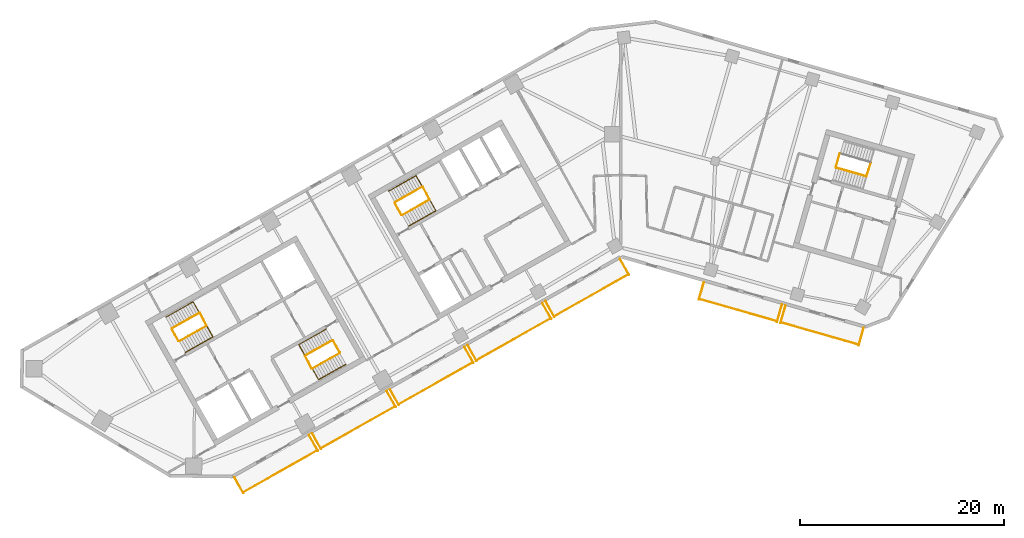
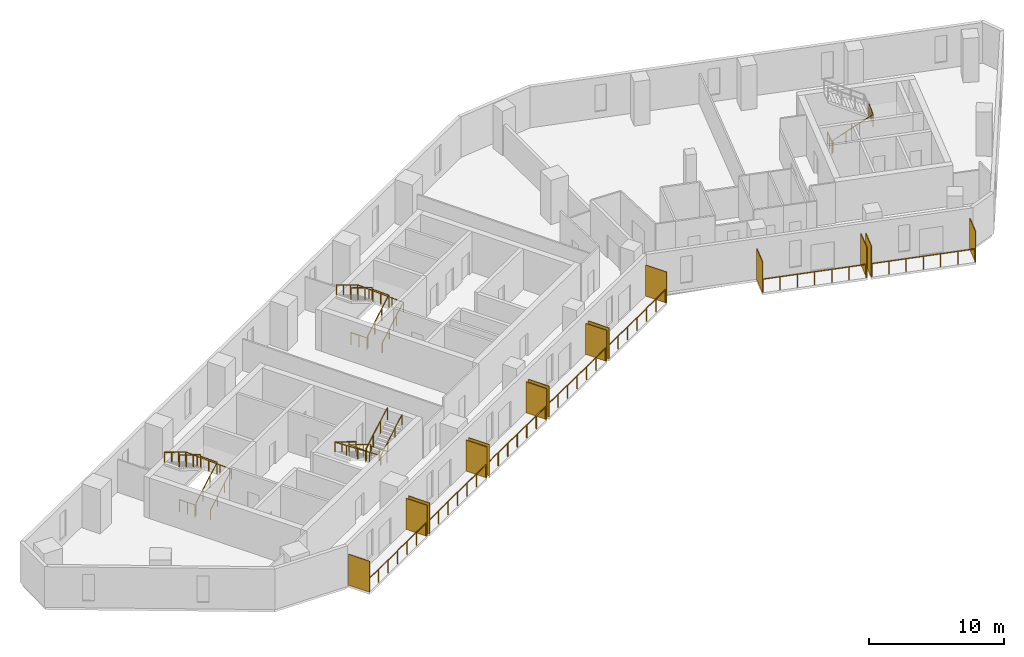
# One storey, part 8 of 9: 21 railings, 14 shading devices.
"""IFC4 building model written with IfcOpenShell, lengths in metres."""

from ifc_helpers import new_model, si_unit, direction, frame, origin, origin_2d, place, context, subcontext, project, spatial, rectangle, circle, extrude, material, layer, layer_set, type_object, element, save


model = new_model("IFC4")

# Units and contexts
model_context = context("Model", 3, precision=1e-05, world=origin(), true_north=direction((0.0, 1.0)))
body_context = subcontext(model_context, "Body", "Model", "MODEL_VIEW")
ifc_project = project(units=[si_unit("LENGTHUNIT", "METRE"), si_unit("AREAUNIT", "SQUARE_METRE"), si_unit("VOLUMEUNIT", "CUBIC_METRE"), si_unit("PLANEANGLEUNIT", "RADIAN"), si_unit("MASSUNIT", "GRAM", prefix="KILO")], contexts=[model_context])

# Site, building, storey
site_placement = place(None, origin())
site = spatial("IfcSite", under=ifc_project, at=site_placement, CompositionType="ELEMENT")
building_placement = place(site_placement, origin())
building = spatial("IfcBuilding", under=site, at=building_placement, Name="Binnacle Exchange Tower", CompositionType="ELEMENT")
storey_placement = place(building_placement, frame((0.0, 0.0, 158.89990234375)))
storey = spatial("IfcBuildingStorey", under=building, at=storey_placement, Name="L33", CompositionType="ELEMENT", Elevation=158.89990234375)

# Railings
ifc_material_1 = material(Name="Bronze anodised aluminium frame", Category="aluminium")
railing_type_1 = type_object("IfcRailingType", Name="GUARD 1200", PredefinedType="GUARDRAIL", material=ifc_material_1)
railing_1_placement = place(storey_placement, frame((-36.994140625, 24.921142578125, 0.0)))
element("IfcRailing", 1, at=railing_1_placement, inside=storey, type_object=railing_type_1, Name="Balcony guard G01-B00 L33", PredefinedType="GUARDRAIL", context=body_context, shape_type="SweptSolid", body=[
    extrude(circle(Radius=0.02392578125, at=origin_2d()), frame((0.0, 0.0, 1.17578125), z_axis=(0.8703461643, 0.49244040684, 0.0), x_axis=(-0.49244040684, 0.8703461643, 0.0)), (0.0, 0.0, 1.0), 8.33447265625),
    extrude(circle(Radius=0.02099609375, at=origin_2d()), origin(), (0.0, 0.0, 1.0), 1.15185546875),
    extrude(circle(Radius=0.02099609375, at=origin_2d()), frame((1.208984375, 0.68408203125, 0.0)), (0.0, 0.0, 1.0), 1.15185546875),
    extrude(circle(Radius=0.02099609375, at=origin_2d()), frame((2.41796875, 1.3681640625, 0.0)), (0.0, 0.0, 1.0), 1.15185546875),
    extrude(circle(Radius=0.02099609375, at=origin_2d()), frame((3.626953125, 2.05224609375, 0.0)), (0.0, 0.0, 1.0), 1.15185546875),
    extrude(circle(Radius=0.02099609375, at=origin_2d()), frame((4.8359375, 2.736083984375, 0.0)), (0.0, 0.0, 1.0), 1.15185546875),
    extrude(circle(Radius=0.02099609375, at=origin_2d()), frame((6.044921875, 3.420166015625, 0.0)), (0.0, 0.0, 1.0), 1.15185546875),
    extrude(circle(Radius=0.02099609375, at=origin_2d()), frame((7.25390625, 4.104248046875, 0.0)), (0.0, 0.0, 1.0), 1.15185546875),
])
railing_2_placement = place(storey_placement, frame((-29.374755859375, 29.232177734375, 0.0)))
element("IfcRailing", 2, at=railing_2_placement, inside=storey, type_object=railing_type_1, Name="Balcony guard G01-B01 L33", PredefinedType="GUARDRAIL", context=body_context, shape_type="SweptSolid", body=[
    extrude(circle(Radius=0.02392578125, at=origin_2d()), frame((0.0, 0.0, 1.17578125), z_axis=(0.870365821494, 0.492405662818, 0.0), x_axis=(-0.492405662818, 0.870365821494, 0.0)), (0.0, 0.0, 1.0), 8.334716796875),
    extrude(circle(Radius=0.02099609375, at=origin_2d()), origin(), (0.0, 0.0, 1.0), 1.15185546875),
    extrude(circle(Radius=0.02099609375, at=origin_2d()), frame((1.208984375, 0.68408203125, 0.0)), (0.0, 0.0, 1.0), 1.15185546875),
    extrude(circle(Radius=0.02099609375, at=origin_2d()), frame((2.41796875, 1.367919921875, 0.0)), (0.0, 0.0, 1.0), 1.15185546875),
    extrude(circle(Radius=0.02099609375, at=origin_2d()), frame((3.626953125, 2.052001953125, 0.0)), (0.0, 0.0, 1.0), 1.15185546875),
    extrude(circle(Radius=0.02099609375, at=origin_2d()), frame((4.836181640625, 2.736083984375, 0.0)), (0.0, 0.0, 1.0), 1.15185546875),
    extrude(circle(Radius=0.02099609375, at=origin_2d()), frame((6.045166015625, 3.419921875, 0.0)), (0.0, 0.0, 1.0), 1.15185546875),
    extrude(circle(Radius=0.02099609375, at=origin_2d()), frame((7.254150390625, 4.10400390625, 0.0)), (0.0, 0.0, 1.0), 1.15185546875),
])
railing_3_placement = place(storey_placement, frame((-21.7548828125, 33.54296875, 0.0)))
element("IfcRailing", 3, at=railing_3_placement, inside=storey, type_object=railing_type_1, Name="Balcony guard G01-B02 L33", PredefinedType="GUARDRAIL", context=body_context, shape_type="SweptSolid", body=[
    extrude(circle(Radius=0.02392578125, at=origin_2d()), frame((0.0, 0.0, 1.17578125), z_axis=(0.870339060608, 0.492452961795, 0.0), x_axis=(-0.492452961795, 0.870339060608, 0.0)), (0.0, 0.0, 1.0), 8.334228515625),
    extrude(circle(Radius=0.02099609375, at=origin_2d()), origin(), (0.0, 0.0, 1.0), 1.15185546875),
    extrude(circle(Radius=0.02099609375, at=origin_2d()), frame((1.208984375, 0.68408203125, 0.0)), (0.0, 0.0, 1.0), 1.15185546875),
    extrude(circle(Radius=0.02099609375, at=origin_2d()), frame((2.41796875, 1.3681640625, 0.0)), (0.0, 0.0, 1.0), 1.15185546875),
    extrude(circle(Radius=0.02099609375, at=origin_2d()), frame((3.626953125, 2.05224609375, 0.0)), (0.0, 0.0, 1.0), 1.15185546875),
    extrude(circle(Radius=0.02099609375, at=origin_2d()), frame((4.835693359375, 2.736083984375, 0.0)), (0.0, 0.0, 1.0), 1.15185546875),
    extrude(circle(Radius=0.02099609375, at=origin_2d()), frame((6.044677734375, 3.420166015625, 0.0)), (0.0, 0.0, 1.0), 1.15185546875),
    extrude(circle(Radius=0.02099609375, at=origin_2d()), frame((7.253662109375, 4.104248046875, 0.0)), (0.0, 0.0, 1.0), 1.15185546875),
])
railing_4_placement = place(storey_placement, frame((-14.135498046875, 37.85400390625, 0.0)))
element("IfcRailing", 4, at=railing_4_placement, inside=storey, type_object=railing_type_1, Name="Balcony guard G01-B03 L33", PredefinedType="GUARDRAIL", context=body_context, shape_type="SweptSolid", body=[
    extrude(circle(Radius=0.02392578125, at=origin_2d()), frame((0.0, 0.0, 1.17578125), z_axis=(0.870365821494, 0.492405662818, 0.0), x_axis=(-0.492405662818, 0.870365821494, 0.0)), (0.0, 0.0, 1.0), 8.334716796875),
    extrude(circle(Radius=0.02099609375, at=origin_2d()), origin(), (0.0, 0.0, 1.0), 1.15185546875),
    extrude(circle(Radius=0.02099609375, at=origin_2d()), frame((1.208984375, 0.68408203125, 0.0)), (0.0, 0.0, 1.0), 1.15185546875),
    extrude(circle(Radius=0.02099609375, at=origin_2d()), frame((2.41796875, 1.367919921875, 0.0)), (0.0, 0.0, 1.0), 1.15185546875),
    extrude(circle(Radius=0.02099609375, at=origin_2d()), frame((3.626953125, 2.052001953125, 0.0)), (0.0, 0.0, 1.0), 1.15185546875),
    extrude(circle(Radius=0.02099609375, at=origin_2d()), frame((4.836181640625, 2.736083984375, 0.0)), (0.0, 0.0, 1.0), 1.15185546875),
    extrude(circle(Radius=0.02099609375, at=origin_2d()), frame((6.045166015625, 3.419921875, 0.0)), (0.0, 0.0, 1.0), 1.15185546875),
    extrude(circle(Radius=0.02099609375, at=origin_2d()), frame((7.254150390625, 4.10400390625, 0.0)), (0.0, 0.0, 1.0), 1.15185546875),
])
railing_5_placement = place(storey_placement, frame((-6.515869140625, 42.164794921875, 0.0)))
element("IfcRailing", 5, at=railing_5_placement, inside=storey, type_object=railing_type_1, Name="Balcony guard G01-B04 L33", PredefinedType="GUARDRAIL", context=body_context, shape_type="SweptSolid", body=[
    extrude(circle(Radius=0.02392578125, at=origin_2d()), frame((0.0, 0.0, 1.17578125), z_axis=(0.8703461643, 0.49244040684, 0.0), x_axis=(-0.49244040684, 0.8703461643, 0.0)), (0.0, 0.0, 1.0), 8.33447265625),
    extrude(circle(Radius=0.02099609375, at=origin_2d()), origin(), (0.0, 0.0, 1.0), 1.15185546875),
    extrude(circle(Radius=0.02099609375, at=origin_2d()), frame((1.208984375, 0.68408203125, 0.0)), (0.0, 0.0, 1.0), 1.15185546875),
    extrude(circle(Radius=0.02099609375, at=origin_2d()), frame((2.41796875, 1.3681640625, 0.0)), (0.0, 0.0, 1.0), 1.15185546875),
    extrude(circle(Radius=0.02099609375, at=origin_2d()), frame((3.626953125, 2.05224609375, 0.0)), (0.0, 0.0, 1.0), 1.15185546875),
    extrude(circle(Radius=0.02099609375, at=origin_2d()), frame((4.8359375, 2.736083984375, 0.0)), (0.0, 0.0, 1.0), 1.15185546875),
    extrude(circle(Radius=0.02099609375, at=origin_2d()), frame((6.044921875, 3.420166015625, 0.0)), (0.0, 0.0, 1.0), 1.15185546875),
    extrude(circle(Radius=0.02099609375, at=origin_2d()), frame((7.25390625, 4.104248046875, 0.0)), (0.0, 0.0, 1.0), 1.15185546875),
])
for number, where, name in (
    (6, (7.6845703125, 43.85107421875, 0.0), "Balcony guard G02-B01 L33"),
    (7, (15.6826171875, 41.5576171875, 0.0), "Balcony guard G02-B02 L33"),
):
    element("IfcRailing", number, at=place(storey_placement, frame(where)), inside=storey, type_object=railing_type_1, Name=name, PredefinedType="GUARDRAIL", context=body_context, shape_type="SweptSolid", body=[
        extrude(circle(Radius=0.02392578125, at=origin_2d()), frame((0.0, 0.0, 1.17578125), z_axis=(0.961265805968, -0.275623022035, 0.0), x_axis=(0.275623022035, 0.961265805968, 0.0)), (0.0, 0.0, 1.0), 7.900146484375),
        extrude(circle(Radius=0.02099609375, at=origin_2d()), origin(), (0.0, 0.0, 1.0), 1.15185546875),
        extrude(circle(Radius=0.02099609375, at=origin_2d()), frame((1.265625, -0.36279296875, 0.0)), (0.0, 0.0, 1.0), 1.15185546875),
        extrude(circle(Radius=0.02099609375, at=origin_2d()), frame((2.531494140625, -0.725830078125, 0.0)), (0.0, 0.0, 1.0), 1.15185546875),
        extrude(circle(Radius=0.02099609375, at=origin_2d()), frame((3.797119140625, -1.0888671875, 0.0)), (0.0, 0.0, 1.0), 1.15185546875),
        extrude(circle(Radius=0.02099609375, at=origin_2d()), frame((5.062744140625, -1.45166015625, 0.0)), (0.0, 0.0, 1.0), 1.15185546875),
        extrude(circle(Radius=0.02099609375, at=origin_2d()), frame((6.32861328125, -1.814453125, 0.0)), (0.0, 0.0, 1.0), 1.15185546875),
        extrude(circle(Radius=0.02099609375, at=origin_2d()), frame((7.59423828125, -2.177490234375, 0.0)), (0.0, 0.0, 1.0), 1.15185546875),
    ])

# Shading devices
ifc_material_2 = material(Name="Bronze aluminium louvre", Category="aluminium")
ifc_layer = layer(ifc_material_2, 0.06005859375)
ifc_layer_set = layer_set([ifc_layer], Name="PLANTED SCREEN 60x2800")
shading_device_type = type_object("IfcShadingDeviceType", Name="PLANTED SCREEN 60x2800", PredefinedType="USERDEFINED", material=ifc_layer_set)
for number, where, z_axis, x_axis, name in (
    (8, (-37.424072265625, 25.6201171875, 0.0), (0.0, 0.0, 1.0), (0.87035569594, 0.492423560103, 0.0), "Planted screen G01-B00a L33"),
    (9, (-30.117919921875, 29.753662109375, 0.0), (0.0, 0.0, 1.0), (0.87035569594, 0.492423560103, 0.0), "Planted screen G01-B00b L33"),
    (10, (-29.8046875, 29.930908203125, 0.0), (0.0, 0.0, 1.0), (0.87035569594, 0.492423560103, 0.0), "Planted screen G01-B01a L33"),
    (11, (-22.498291015625, 34.064697265625, 0.0), (0.0, 0.0, 1.0), (0.87035569594, 0.492423560103, 0.0), "Planted screen G01-B01b L33"),
    (12, (-22.184814453125, 34.241943359375, 0.0), (0.0, 0.0, 1.0), (0.87035569594, 0.492423560103, 0.0), "Planted screen G01-B02a L33"),
    (13, (-14.878662109375, 38.37548828125, 0.0), (0.0, 0.0, 1.0), (0.87035569594, 0.492423560103, 0.0), "Planted screen G01-B02b L33"),
    (14, (-14.5654296875, 38.552978515625, 0.0), (0.0, 0.0, 1.0), (0.87035569594, 0.492423560103, 0.0), "Planted screen G01-B03a L33"),
    (15, (-7.259033203125, 42.6865234375, 0.0), (0.0, 0.0, 1.0), (0.87035569594, 0.492423560103, 0.0), "Planted screen G01-B03b L33"),
    (16, (-6.94580078125, 42.864013671875, 0.0), (0.0, 0.0, 1.0), (0.87035569594, 0.492423560103, 0.0), "Planted screen G01-B04a L33"),
    (17, (0.3603515625, 46.99755859375, 0.0), (0.0, 0.0, 1.0), (0.87035569594, 0.492423560103, 0.0), "Planted screen G01-B04b L33"),
    (18, (7.881591796875, 44.647705078125, 0.0), (0.0, 0.0, 1.0), (0.961261695938, -0.275637355817, 0.0), "Planted screen G02-B01a L33"),
    (19, (15.53369140625, 42.45361328125, 0.0), (0.0, 0.0, 1.0), (0.961261695938, -0.275637355817, 0.0), "Planted screen G02-B01b L33"),
    (20, (15.8798828125, 42.354248046875, 0.0), (0.0, 0.0, 1.0), (0.961261695938, -0.275637355817, 0.0), "Planted screen G02-B02a L33"),
    (21, (23.53173828125, 40.16015625, 0.0), (0.0, 0.0, 1.0), (0.961261695938, -0.275637355817, 0.0), "Planted screen G02-B02b L33"),
):
    element("IfcShadingDevice", number, at=place(storey_placement, frame(where, z_axis=z_axis, x_axis=x_axis)), inside=storey, type_object=shading_device_type, Name=name, ObjectType="SCREEN", PredefinedType="USERDEFINED", context=body_context, shape_type="SweptSolid", body=[
        extrude(rectangle(XDim=0.06005859375, YDim=1.800048828125, at=origin_2d()), origin(), (0.0, 0.0, 1.0), 2.800048828125),
    ])

# Railings
ifc_material_3 = material(Name="Steel guard rail", Category="steel")
railing_type_2 = type_object("IfcRailingType", Name="STAIR GUARD 1100", PredefinedType="GUARDRAIL", material=ifc_material_3)
railing_6_placement = place(storey_placement, frame((-43.26171875, 39.71728515625, 0.166748046875)))
element("IfcRailing", 22, at=railing_6_placement, inside=storey, type_object=railing_type_2, Name="L33 STA1 stair guard 1", PredefinedType="GUARDRAIL", context=body_context, shape_type="SweptSolid", body=[
    extrude(circle(Radius=0.02392578125, at=origin_2d()), frame((0.0, 0.0, 1.076171875), z_axis=(0.747900833971, 0.423129324283, 0.511474258861), x_axis=(-0.492412445098, 0.870361984414, 0.0)), (0.0, 0.0, 1.0), 3.584228515625),
    extrude(circle(Radius=0.02392578125, at=origin_2d()), frame((2.6806640625, 1.5166015625, 2.9091796875), z_axis=(-0.461100321709, 0.887348011391, 0.0), x_axis=(-0.887348011391, -0.461100321709, 0.0)), (0.0, 0.0, 1.0), 1.40087890625),
    extrude(circle(Radius=0.02099609375, at=origin_2d()), origin(), (0.0, 0.0, 1.0), 1.052001953125),
    extrude(circle(Radius=0.02099609375, at=origin_2d()), frame((0.8935546875, 0.505615234375, 0.611083984375)), (0.0, 0.0, 1.0), 1.052001953125),
    extrude(circle(Radius=0.02099609375, at=origin_2d()), frame((1.787109375, 1.010986328125, 1.22216796875)), (0.0, 0.0, 1.0), 1.052001953125),
    extrude(circle(Radius=0.02099609375, at=origin_2d()), frame((2.6806640625, 1.5166015625, 1.833251953125)), (0.0, 0.0, 1.0), 1.052001953125),
    extrude(circle(Radius=0.02099609375, at=origin_2d()), frame((2.357666015625, 2.13818359375, 1.833251953125)), (0.0, 0.0, 1.0), 1.052001953125),
    extrude(circle(Radius=0.02099609375, at=origin_2d()), frame((2.03466796875, 2.759765625, 1.833251953125)), (0.0, 0.0, 1.0), 1.052001953125),
])
railing_7_placement = place(storey_placement, frame((-41.295166015625, 42.49609375, 2.166748046875)))
element("IfcRailing", 23, at=railing_7_placement, inside=storey, type_object=railing_type_2, Name="L33 STA1 stair guard 2", PredefinedType="GUARDRAIL", context=body_context, shape_type="SweptSolid", body=[
    extrude(circle(Radius=0.02392578125, at=origin_2d()), frame((0.0, 0.0, 1.076171875), z_axis=(-0.747879277632, -0.423185241524, 0.511459516916), x_axis=(0.492472489424, -0.870328011247, 0.0)), (0.0, 0.0, 1.0), 3.58447265625),
    extrude(circle(Radius=0.02099609375, at=origin_2d()), origin(), (0.0, 0.0, 1.0), 1.052001953125),
    extrude(circle(Radius=0.02099609375, at=origin_2d()), frame((-0.8935546875, -0.505615234375, 0.611083984375)), (0.0, 0.0, 1.0), 1.052001953125),
    extrude(circle(Radius=0.02099609375, at=origin_2d()), frame((-1.787109375, -1.01123046875, 1.22216796875)), (0.0, 0.0, 1.0), 1.052001953125),
    extrude(circle(Radius=0.02099609375, at=origin_2d()), frame((-2.6806640625, -1.516845703125, 1.833251953125)), (0.0, 0.0, 1.0), 1.052001953125),
])
railing_8_placement = place(storey_placement, frame((-43.329833984375, 39.736328125, 0.0)))
element("IfcRailing", 24, at=railing_8_placement, inside=storey, type_object=railing_type_2, Name="L33 STA1 stair guard 3", PredefinedType="GUARDRAIL", context=body_context, shape_type="SweptSolid", body=[
    extrude(circle(Radius=0.02392578125, at=origin_2d()), frame((0.0, 0.0, 1.076171875), z_axis=(-0.4924922531, 0.870316827734, 0.0), x_axis=(-0.870316827734, -0.4924922531, 0.0)), (0.0, 0.0, 1.0), 1.349853515625),
    extrude(circle(Radius=0.02099609375, at=origin_2d()), origin(), (0.0, 0.0, 1.0), 1.052001953125),
    extrude(circle(Radius=0.02099609375, at=origin_2d()), frame((-0.33251953125, 0.58740234375, 0.0)), (0.0, 0.0, 1.0), 1.052001953125),
    extrude(circle(Radius=0.02099609375, at=origin_2d()), frame((-0.664794921875, 1.1748046875, 0.0)), (0.0, 0.0, 1.0), 1.052001953125),
])
railing_9_placement = place(storey_placement, frame((-28.265380859375, 39.814453125, 0.166748046875)))
element("IfcRailing", 25, at=railing_9_placement, inside=storey, type_object=railing_type_2, Name="L33 STA2 stair guard 1", PredefinedType="GUARDRAIL", context=body_context, shape_type="SweptSolid", body=[
    extrude(circle(Radius=0.02392578125, at=origin_2d()), frame((0.0, 0.0, 1.076171875), z_axis=(-0.747900833971, -0.423129324283, 0.511474258861), x_axis=(0.492412445098, -0.870361984414, 0.0)), (0.0, 0.0, 1.0), 3.584228515625),
    extrude(circle(Radius=0.02392578125, at=origin_2d()), frame((-2.6806640625, -1.5166015625, 2.9091796875), z_axis=(0.460963092712, -0.887419307406, 0.0), x_axis=(0.887419307406, 0.460963092712, 0.0)), (0.0, 0.0, 1.0), 1.40087890625),
    extrude(circle(Radius=0.02099609375, at=origin_2d()), origin(), (0.0, 0.0, 1.0), 1.052001953125),
    extrude(circle(Radius=0.02099609375, at=origin_2d()), frame((-0.8935546875, -0.505615234375, 0.611083984375)), (0.0, 0.0, 1.0), 1.052001953125),
    extrude(circle(Radius=0.02099609375, at=origin_2d()), frame((-1.787109375, -1.010986328125, 1.22216796875)), (0.0, 0.0, 1.0), 1.052001953125),
    extrude(circle(Radius=0.02099609375, at=origin_2d()), frame((-2.6806640625, -1.5166015625, 1.833251953125)), (0.0, 0.0, 1.0), 1.052001953125),
    extrude(circle(Radius=0.02099609375, at=origin_2d()), frame((-2.35791015625, -2.13818359375, 1.833251953125)), (0.0, 0.0, 1.0), 1.052001953125),
    extrude(circle(Radius=0.02099609375, at=origin_2d()), frame((-2.034912109375, -2.759765625, 1.833251953125)), (0.0, 0.0, 1.0), 1.052001953125),
])
railing_10_placement = place(storey_placement, frame((-30.232177734375, 37.035888671875, 2.166748046875)))
element("IfcRailing", 26, at=railing_10_placement, inside=storey, type_object=railing_type_2, Name="L33 STA2 stair guard 2", PredefinedType="GUARDRAIL", context=body_context, shape_type="SweptSolid", body=[
    extrude(circle(Radius=0.02392578125, at=origin_2d()), frame((0.0, 0.0, 1.076171875), z_axis=(0.747900833971, 0.423129324283, 0.511474258861), x_axis=(-0.492412445098, 0.870361984414, 0.0)), (0.0, 0.0, 1.0), 3.584228515625),
    extrude(circle(Radius=0.02099609375, at=origin_2d()), origin(), (0.0, 0.0, 1.0), 1.052001953125),
    extrude(circle(Radius=0.02099609375, at=origin_2d()), frame((0.8935546875, 0.505615234375, 0.611083984375)), (0.0, 0.0, 1.0), 1.052001953125),
    extrude(circle(Radius=0.02099609375, at=origin_2d()), frame((1.787109375, 1.010986328125, 1.22216796875)), (0.0, 0.0, 1.0), 1.052001953125),
    extrude(circle(Radius=0.02099609375, at=origin_2d()), frame((2.6806640625, 1.5166015625, 1.833251953125)), (0.0, 0.0, 1.0), 1.052001953125),
])
railing_11_placement = place(storey_placement, frame((-28.197265625, 39.795654296875, 0.0)))
element("IfcRailing", 27, at=railing_11_placement, inside=storey, type_object=railing_type_2, Name="L33 STA2 stair guard 3", PredefinedType="GUARDRAIL", context=body_context, shape_type="SweptSolid", body=[
    extrude(circle(Radius=0.02392578125, at=origin_2d()), frame((0.0, 0.0, 1.076171875), z_axis=(0.49241474071, -0.870360685654, 0.0), x_axis=(0.870360685654, 0.49241474071, 0.0)), (0.0, 0.0, 1.0), 1.35009765625),
    extrude(circle(Radius=0.02099609375, at=origin_2d()), origin(), (0.0, 0.0, 1.0), 1.052001953125),
    extrude(circle(Radius=0.02099609375, at=origin_2d()), frame((0.33251953125, -0.58740234375, 0.0)), (0.0, 0.0, 1.0), 1.052001953125),
    extrude(circle(Radius=0.02099609375, at=origin_2d()), frame((0.664794921875, -1.175048828125, 0.0)), (0.0, 0.0, 1.0), 1.052001953125),
])
railing_12_placement = place(storey_placement, frame((-21.423828125, 52.07275390625, 0.166748046875)))
element("IfcRailing", 28, at=railing_12_placement, inside=storey, type_object=railing_type_2, Name="L33 STC1 stair guard 1", PredefinedType="GUARDRAIL", context=body_context, shape_type="SweptSolid", body=[
    extrude(circle(Radius=0.02392578125, at=origin_2d()), frame((0.0, 0.0, 1.076171875), z_axis=(0.747900833971, 0.423129324283, 0.511474258861), x_axis=(-0.492412445098, 0.870361984414, 0.0)), (0.0, 0.0, 1.0), 3.584228515625),
    extrude(circle(Radius=0.02392578125, at=origin_2d()), frame((2.6806640625, 1.5166015625, 2.9091796875), z_axis=(-0.460963092712, 0.887419307406, 0.0), x_axis=(-0.887419307406, -0.460963092712, 0.0)), (0.0, 0.0, 1.0), 1.40087890625),
    extrude(circle(Radius=0.02099609375, at=origin_2d()), origin(), (0.0, 0.0, 1.0), 1.052001953125),
    extrude(circle(Radius=0.02099609375, at=origin_2d()), frame((0.8935546875, 0.505615234375, 0.611083984375)), (0.0, 0.0, 1.0), 1.052001953125),
    extrude(circle(Radius=0.02099609375, at=origin_2d()), frame((1.787109375, 1.010986328125, 1.22216796875)), (0.0, 0.0, 1.0), 1.052001953125),
    extrude(circle(Radius=0.02099609375, at=origin_2d()), frame((2.6806640625, 1.5166015625, 1.833251953125)), (0.0, 0.0, 1.0), 1.052001953125),
    extrude(circle(Radius=0.02099609375, at=origin_2d()), frame((2.35791015625, 2.13818359375, 1.833251953125)), (0.0, 0.0, 1.0), 1.052001953125),
    extrude(circle(Radius=0.02099609375, at=origin_2d()), frame((2.034912109375, 2.759765625, 1.833251953125)), (0.0, 0.0, 1.0), 1.052001953125),
])
railing_13_placement = place(storey_placement, frame((-19.45703125, 54.851318359375, 2.166748046875)))
element("IfcRailing", 29, at=railing_13_placement, inside=storey, type_object=railing_type_2, Name="L33 STC1 stair guard 2", PredefinedType="GUARDRAIL", context=body_context, shape_type="SweptSolid", body=[
    extrude(circle(Radius=0.02392578125, at=origin_2d()), frame((0.0, 0.0, 1.076171875), z_axis=(-0.747900833971, -0.423129324283, 0.511474258861), x_axis=(0.492412445098, -0.870361984414, 0.0)), (0.0, 0.0, 1.0), 3.584228515625),
    extrude(circle(Radius=0.02099609375, at=origin_2d()), origin(), (0.0, 0.0, 1.0), 1.052001953125),
    extrude(circle(Radius=0.02099609375, at=origin_2d()), frame((-0.8935546875, -0.505615234375, 0.611083984375)), (0.0, 0.0, 1.0), 1.052001953125),
    extrude(circle(Radius=0.02099609375, at=origin_2d()), frame((-1.787109375, -1.010986328125, 1.22216796875)), (0.0, 0.0, 1.0), 1.052001953125),
    extrude(circle(Radius=0.02099609375, at=origin_2d()), frame((-2.6806640625, -1.5166015625, 1.833251953125)), (0.0, 0.0, 1.0), 1.052001953125),
])
railing_14_placement = place(storey_placement, frame((-21.491943359375, 52.091552734375, 0.0)))
element("IfcRailing", 30, at=railing_14_placement, inside=storey, type_object=railing_type_2, Name="L33 STC1 stair guard 3", PredefinedType="GUARDRAIL", context=body_context, shape_type="SweptSolid", body=[
    extrude(circle(Radius=0.02392578125, at=origin_2d()), frame((0.0, 0.0, 1.076171875), z_axis=(-0.49241474071, 0.870360685654, 0.0), x_axis=(-0.870360685654, -0.49241474071, 0.0)), (0.0, 0.0, 1.0), 1.35009765625),
    extrude(circle(Radius=0.02099609375, at=origin_2d()), origin(), (0.0, 0.0, 1.0), 1.052001953125),
    extrude(circle(Radius=0.02099609375, at=origin_2d()), frame((-0.33251953125, 0.58740234375, 0.0)), (0.0, 0.0, 1.0), 1.052001953125),
    extrude(circle(Radius=0.02099609375, at=origin_2d()), frame((-0.664794921875, 1.175048828125, 0.0)), (0.0, 0.0, 1.0), 1.052001953125),
])
railing_15_placement = place(storey_placement, frame((21.086669921875, 56.71044921875, 0.166748046875)))
element("IfcRailing", 31, at=railing_15_placement, inside=storey, type_object=railing_type_2, Name="L33 STD1 stair guard 1", PredefinedType="GUARDRAIL", context=body_context, shape_type="SweptSolid", body=[
    extrude(circle(Radius=0.02392578125, at=origin_2d()), frame((0.0, 0.0, 1.076171875), z_axis=(0.826006950853, -0.236897186037, 0.511460888427), x_axis=(0.27568413623, 0.961248280639, 0.0)), (0.0, 0.0, 1.0), 3.584228515625),
    extrude(circle(Radius=0.02392578125, at=origin_2d()), frame((2.960693359375, -0.84912109375, 2.9091796875), z_axis=(0.309684985722, 0.950839213337, 0.0), x_axis=(-0.950839213337, 0.309684985722, 0.0)), (0.0, 0.0, 1.0), 1.40087890625),
    extrude(circle(Radius=0.02099609375, at=origin_2d()), origin(), (0.0, 0.0, 1.0), 1.052001953125),
    extrude(circle(Radius=0.02099609375, at=origin_2d()), frame((0.98681640625, -0.282958984375, 0.611083984375)), (0.0, 0.0, 1.0), 1.052001953125),
    extrude(circle(Radius=0.02099609375, at=origin_2d()), frame((1.973876953125, -0.566162109375, 1.22216796875)), (0.0, 0.0, 1.0), 1.052001953125),
    extrude(circle(Radius=0.02099609375, at=origin_2d()), frame((2.960693359375, -0.84912109375, 1.833251953125)), (0.0, 0.0, 1.0), 1.052001953125),
    extrude(circle(Radius=0.02099609375, at=origin_2d()), frame((3.177734375, -0.18310546875, 1.833251953125)), (0.0, 0.0, 1.0), 1.052001953125),
    extrude(circle(Radius=0.02099609375, at=origin_2d()), frame((3.39453125, 0.48291015625, 1.833251953125)), (0.0, 0.0, 1.0), 1.052001953125),
])
railing_16_placement = place(storey_placement, frame((21.05224609375, 56.772216796875, 0.0)))
element("IfcRailing", 32, at=railing_16_placement, inside=storey, type_object=railing_type_2, Name="L33 STD1 stair guard 3", PredefinedType="GUARDRAIL", context=body_context, shape_type="SweptSolid", body=[
    extrude(circle(Radius=0.02392578125, at=origin_2d()), frame((0.0, 0.0, 1.076171875), z_axis=(0.275795817769, 0.961216243569, 0.0), x_axis=(-0.961216243569, 0.275795817769, 0.0)), (0.0, 0.0, 1.0), 1.349853515625),
    extrude(circle(Radius=0.02099609375, at=origin_2d()), origin(), (0.0, 0.0, 1.0), 1.052001953125),
    extrude(circle(Radius=0.02099609375, at=origin_2d()), frame((0.18603515625, 0.64892578125, 0.0)), (0.0, 0.0, 1.0), 1.052001953125),
    extrude(circle(Radius=0.02099609375, at=origin_2d()), frame((0.372314453125, 1.297607421875, 0.0)), (0.0, 0.0, 1.0), 1.052001953125),
])
ifc_material_4 = material(Name="Steel handrail", Category="steel")
railing_type_3 = type_object("IfcRailingType", Name="STAIR HANDRAIL 900", PredefinedType="HANDRAIL", material=ifc_material_4)
railing_17_placement = place(storey_placement, frame((-42.646240234375, 38.62939453125, 0.166748046875)))
element("IfcRailing", 33, at=railing_17_placement, inside=storey, type_object=railing_type_3, Name="L33 STA1 stair handrail 1", PredefinedType="HANDRAIL", context=body_context, shape_type="SweptSolid", body=[
    extrude(circle(Radius=0.02392578125, at=origin_2d()), frame((0.0, 0.0, 0.8759765625), z_axis=(0.747900833971, 0.423129324283, 0.511474258861), x_axis=(-0.492412445098, 0.870361984414, 0.0)), (0.0, 0.0, 1.0), 3.584228515625),
    extrude(circle(Radius=0.02392578125, at=origin_2d()), frame((2.6806640625, 1.5166015625, 2.708984375), z_axis=(-0.491975462752, 0.869586854082, 0.042176382711), x_axis=(-0.870361318571, -0.492413622004, 0.0)), (0.0, 0.0, 1.0), 3.95361328125),
    extrude(circle(Radius=0.02392578125, at=origin_2d()), frame((0.735595703125, 4.95458984375, 2.8759765625), z_axis=(-0.747900833971, -0.423129324283, 0.511474258861), x_axis=(0.492412445098, -0.870361984414, 0.0)), (0.0, 0.0, 1.0), 3.584228515625),
    extrude(circle(Radius=0.02099609375, at=origin_2d()), origin(), (0.0, 0.0, 1.0), 0.851806640625),
    extrude(circle(Radius=0.02099609375, at=origin_2d()), frame((0.8935546875, 0.505615234375, 0.611083984375)), (0.0, 0.0, 1.0), 0.851806640625),
    extrude(circle(Radius=0.02099609375, at=origin_2d()), frame((1.787109375, 1.010986328125, 1.22216796875)), (0.0, 0.0, 1.0), 0.851806640625),
    extrude(circle(Radius=0.02099609375, at=origin_2d()), frame((2.6806640625, 1.5166015625, 1.833251953125)), (0.0, 0.0, 1.0), 0.851806640625),
    extrude(circle(Radius=0.02099609375, at=origin_2d()), frame((2.1943359375, 2.3759765625, 1.875)), (0.0, 0.0, 1.0), 0.851806640625),
    extrude(circle(Radius=0.02099609375, at=origin_2d()), frame((1.7080078125, 3.235595703125, 1.91650390625)), (0.0, 0.0, 1.0), 0.851806640625),
    extrude(circle(Radius=0.02099609375, at=origin_2d()), frame((1.221923828125, 4.09521484375, 1.958251953125)), (0.0, 0.0, 1.0), 0.851806640625),
    extrude(circle(Radius=0.02099609375, at=origin_2d()), frame((0.735595703125, 4.95458984375, 2.0)), (0.0, 0.0, 1.0), 0.851806640625),
    extrude(circle(Radius=0.02099609375, at=origin_2d()), frame((-0.157958984375, 4.448974609375, 2.611083984375)), (0.0, 0.0, 1.0), 0.851806640625),
    extrude(circle(Radius=0.02099609375, at=origin_2d()), frame((-1.051513671875, 3.943603515625, 3.22216796875)), (0.0, 0.0, 1.0), 0.851806640625),
    extrude(circle(Radius=0.02099609375, at=origin_2d()), frame((-1.945068359375, 3.43798828125, 3.833251953125)), (0.0, 0.0, 1.0), 0.851806640625),
])
railing_18_placement = place(storey_placement, frame((-28.880859375, 40.90234375, 0.166748046875)))
element("IfcRailing", 34, at=railing_18_placement, inside=storey, type_object=railing_type_3, Name="L33 STA2 stair handrail 1", PredefinedType="HANDRAIL", context=body_context, shape_type="SweptSolid", body=[
    extrude(circle(Radius=0.02392578125, at=origin_2d()), frame((0.0, 0.0, 0.8759765625), z_axis=(-0.747930846092, -0.423107769413, 0.511448203561), x_axis=(0.492378474645, -0.870381202524, 0.0)), (0.0, 0.0, 1.0), 3.58447265625),
    extrude(circle(Radius=0.02392578125, at=origin_2d()), frame((-2.680908203125, -1.5166015625, 2.708984375), z_axis=(0.491975462752, -0.869586854082, 0.042176382711), x_axis=(0.870361318571, 0.492413622004, 0.0)), (0.0, 0.0, 1.0), 3.95361328125),
    extrude(circle(Radius=0.02392578125, at=origin_2d()), frame((-0.73583984375, -4.95458984375, 2.8759765625), z_axis=(0.747909291085, 0.423163685048, 0.51143346387), x_axis=(-0.49243851748, 0.870347233294, 0.0)), (0.0, 0.0, 1.0), 3.58447265625),
    extrude(circle(Radius=0.02099609375, at=origin_2d()), origin(), (0.0, 0.0, 1.0), 0.851806640625),
    extrude(circle(Radius=0.02099609375, at=origin_2d()), frame((-0.8935546875, -0.505615234375, 0.611083984375)), (0.0, 0.0, 1.0), 0.851806640625),
    extrude(circle(Radius=0.02099609375, at=origin_2d()), frame((-1.787353515625, -1.010986328125, 1.22216796875)), (0.0, 0.0, 1.0), 0.851806640625),
    extrude(circle(Radius=0.02099609375, at=origin_2d()), frame((-2.680908203125, -1.5166015625, 1.833251953125)), (0.0, 0.0, 1.0), 0.851806640625),
    extrude(circle(Radius=0.02099609375, at=origin_2d()), frame((-2.194580078125, -2.3759765625, 1.875)), (0.0, 0.0, 1.0), 0.851806640625),
    extrude(circle(Radius=0.02099609375, at=origin_2d()), frame((-1.70849609375, -3.235595703125, 1.91650390625)), (0.0, 0.0, 1.0), 0.851806640625),
    extrude(circle(Radius=0.02099609375, at=origin_2d()), frame((-1.22216796875, -4.09521484375, 1.958251953125)), (0.0, 0.0, 1.0), 0.851806640625),
    extrude(circle(Radius=0.02099609375, at=origin_2d()), frame((-0.73583984375, -4.95458984375, 2.0)), (0.0, 0.0, 1.0), 0.851806640625),
    extrude(circle(Radius=0.02099609375, at=origin_2d()), frame((0.15771484375, -4.448974609375, 2.611083984375)), (0.0, 0.0, 1.0), 0.851806640625),
    extrude(circle(Radius=0.02099609375, at=origin_2d()), frame((1.051513671875, -3.943359375, 3.22216796875)), (0.0, 0.0, 1.0), 0.851806640625),
    extrude(circle(Radius=0.02099609375, at=origin_2d()), frame((1.945068359375, -3.437744140625, 3.833251953125)), (0.0, 0.0, 1.0), 0.851806640625),
])
railing_19_placement = place(storey_placement, frame((-20.808349609375, 50.984619140625, 0.166748046875)))
element("IfcRailing", 35, at=railing_19_placement, inside=storey, type_object=railing_type_3, Name="L33 STC1 stair handrail 1", PredefinedType="HANDRAIL", context=body_context, shape_type="SweptSolid", body=[
    extrude(circle(Radius=0.02392578125, at=origin_2d()), frame((0.0, 0.0, 0.8759765625), z_axis=(0.747909291085, 0.423163685048, 0.51143346387), x_axis=(-0.49243851748, 0.870347233294, 0.0)), (0.0, 0.0, 1.0), 3.58447265625),
    extrude(circle(Radius=0.02392578125, at=origin_2d()), frame((2.680908203125, 1.516845703125, 2.708984375), z_axis=(-0.492001882252, 0.86957179666, 0.042178647619), x_axis=(-0.87034633103, -0.492440112159, 0.0)), (0.0, 0.0, 1.0), 3.953369140625),
    extrude(circle(Radius=0.02392578125, at=origin_2d()), frame((0.73583984375, 4.95458984375, 2.8759765625), z_axis=(-0.747930846092, -0.423107769413, 0.511448203561), x_axis=(0.492378474645, -0.870381202524, 0.0)), (0.0, 0.0, 1.0), 3.58447265625),
    extrude(circle(Radius=0.02099609375, at=origin_2d()), origin(), (0.0, 0.0, 1.0), 0.851806640625),
    extrude(circle(Radius=0.02099609375, at=origin_2d()), frame((0.8935546875, 0.505615234375, 0.611083984375)), (0.0, 0.0, 1.0), 0.851806640625),
    extrude(circle(Radius=0.02099609375, at=origin_2d()), frame((1.787353515625, 1.01123046875, 1.22216796875)), (0.0, 0.0, 1.0), 0.851806640625),
    extrude(circle(Radius=0.02099609375, at=origin_2d()), frame((2.680908203125, 1.516845703125, 1.833251953125)), (0.0, 0.0, 1.0), 0.851806640625),
    extrude(circle(Radius=0.02099609375, at=origin_2d()), frame((2.194580078125, 2.376220703125, 1.875)), (0.0, 0.0, 1.0), 0.851806640625),
    extrude(circle(Radius=0.02099609375, at=origin_2d()), frame((1.70849609375, 3.23583984375, 1.91650390625)), (0.0, 0.0, 1.0), 0.851806640625),
    extrude(circle(Radius=0.02099609375, at=origin_2d()), frame((1.22216796875, 4.09521484375, 1.958251953125)), (0.0, 0.0, 1.0), 0.851806640625),
    extrude(circle(Radius=0.02099609375, at=origin_2d()), frame((0.73583984375, 4.95458984375, 2.0)), (0.0, 0.0, 1.0), 0.851806640625),
    extrude(circle(Radius=0.02099609375, at=origin_2d()), frame((-0.15771484375, 4.448974609375, 2.611083984375)), (0.0, 0.0, 1.0), 0.851806640625),
    extrude(circle(Radius=0.02099609375, at=origin_2d()), frame((-1.051513671875, 3.943603515625, 3.22216796875)), (0.0, 0.0, 1.0), 0.851806640625),
    extrude(circle(Radius=0.02099609375, at=origin_2d()), frame((-1.945068359375, 3.43798828125, 3.833251953125)), (0.0, 0.0, 1.0), 0.851806640625),
])

save(model, "model.ifc")
